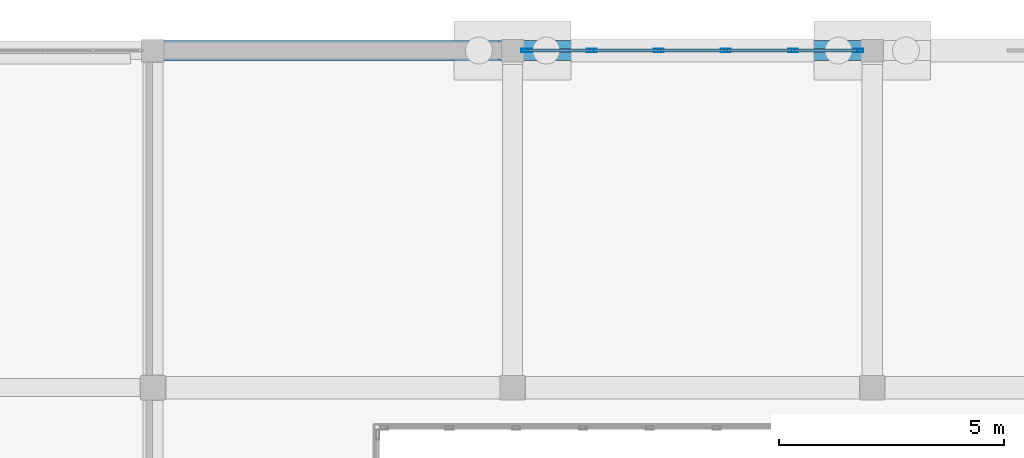
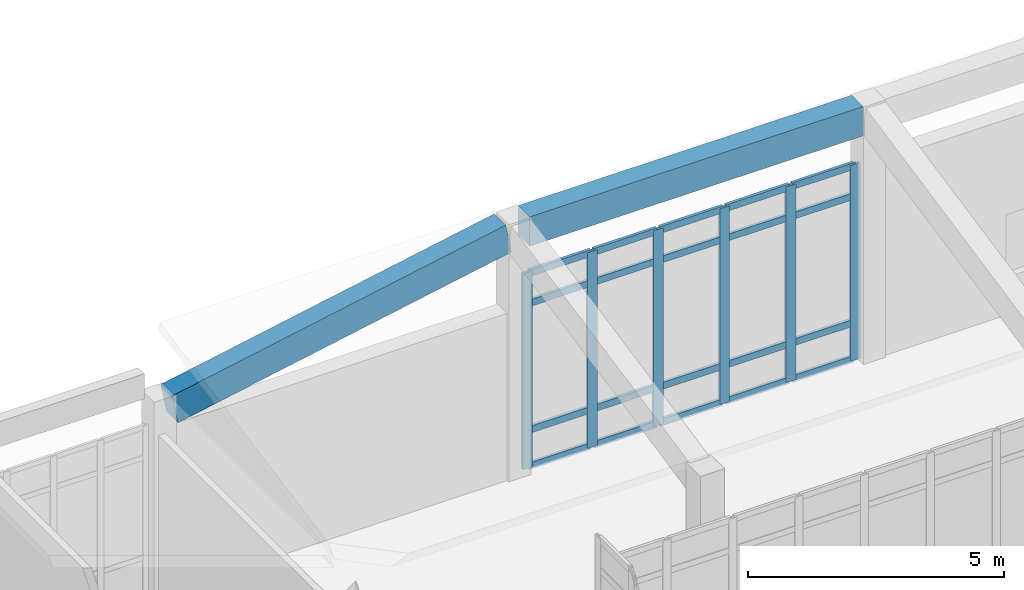
# One storey, part 90 of 173: 26 members, 2 beams, 1 element without a shape of its own.
"""IFC4 building model written with IfcOpenShell, lengths in metres."""

from ifc_helpers import new_model, si_unit, direction, frame, origin, origin_2d, place, context, subcontext, project, spatial, rectangle, hollow_rectangle, extrude, material, layer, layer_set, material_profile, profile_set, type_object, element, aggregate, save


model = new_model("IFC4")

# Units and contexts
model_context = context("Model", 3, precision=1e-05, world=origin(), true_north=direction((0.0, 1.0)))
body_context = subcontext(model_context, "Body", "Model", "MODEL_VIEW")
ifc_project = project(units=[si_unit("LENGTHUNIT", "METRE"), si_unit("AREAUNIT", "SQUARE_METRE"), si_unit("VOLUMEUNIT", "CUBIC_METRE"), si_unit("PLANEANGLEUNIT", "RADIAN"), si_unit("MASSUNIT", "GRAM", prefix="KILO")], contexts=[model_context])

# Site, building, storey
site_placement = place(None, origin())
site = spatial("IfcSite", under=ifc_project, at=site_placement, CompositionType="ELEMENT")
building_placement = place(site_placement, origin())
building = spatial("IfcBuilding", under=site, at=building_placement, Name="Mawjan Specialist Oncology Clinic", CompositionType="ELEMENT")
storey_placement = place(building_placement, origin())
storey = spatial("IfcBuildingStorey", under=building, at=storey_placement, Name="L00", CompositionType="ELEMENT", Elevation=0.0)

# Beams
ifc_material_1 = material(Name="Concrete C40/50", Category="concrete")
ifc_material_profile_1 = material_profile(ifc_material_1, rectangle(XDim=0.449951171875, YDim=0.699951171875, at=origin_2d()), Name="RC BM 450x700", Category="concrete")
ifc_profile_set_1 = profile_set([ifc_material_profile_1], Name="Concrete C40/50")
beam_type = type_object("IfcBeamType", Name="BM-450x700", PredefinedType="BEAM", material=ifc_profile_set_1)
beam_1_placement = place(storey_placement, frame((108.235107421875, 113.300048828125, 4.35009765625), z_axis=(0.982295610241, 0.0, 0.187337487175), x_axis=(0.0, 1.0, 0.0)))
element("IfcBeam", 1, at=beam_1_placement, inside=storey, type_object=beam_type, Name="L00 Roof Framing Beam BM-RF-L00-1257", PredefinedType="BEAM", context=body_context, shape_type="SweptSolid", body=[
    extrude(rectangle(XDim=0.449951171875, YDim=0.699951171875, at=origin_2d()), origin(), (0.0, 0.0, 1.0), 7.66552734375),
])
beam_2_placement = place(storey_placement, frame((116.235107421875, 113.300048828125, 5.7861328125), z_axis=(1.0, 0.0, 0.0), x_axis=(0.0, 1.0, 0.0)))
element("IfcBeam", 2, at=beam_2_placement, inside=storey, type_object=beam_type, Name="L00 Roof Framing Beam BM-RF-L00-1258", PredefinedType="BEAM", context=body_context, shape_type="SweptSolid", body=[
    extrude(rectangle(XDim=0.449951171875, YDim=0.699951171875, at=origin_2d()), origin(), (0.0, 0.0, 1.0), 7.52978515625),
])

# Curtain wall, members
ifc_material_2 = material(Name="Unitised spectrally selective aluminium curtain wall", Category="aluminium")
ifc_layer = layer(ifc_material_2, 0.179931640625, Name="Unitised spectrally selective aluminium curtain wall", Category="aluminium")
ifc_layer_set = layer_set([ifc_layer], Name="Unitised spectrally selective aluminium curtain wall")
curtain_wall_type = type_object("IfcCurtainWallType", Name="CW-15", PredefinedType="NOTDEFINED", material=ifc_layer_set)
curtain_wall_placement = place(storey_placement, origin())
curtain_wall = element("IfcCurtainWall", 3, at=curtain_wall_placement, inside=storey, type_object=curtain_wall_type, Name="L00 Unitised Curtain Wall CW-L00-027", PredefinedType="NOTDEFINED")
ifc_material_3 = material(Name="Thermally broken aluminium 6063-T6", Category="aluminium")
ifc_material_profile_2 = material_profile(ifc_material_3, hollow_rectangle(XDim=0.070068359375, YDim=0.219970703125, WallThickness=0.00390625, at=origin_2d()), Name="ALU MULLION 220x70x4", Category="aluminium")
ifc_profile_set_2 = profile_set([ifc_material_profile_2], Name="Thermally broken aluminium 6063-T6")
member_type_1 = type_object("IfcMemberType", Name="CW-M220", PredefinedType="MULLION", material=ifc_profile_set_2)
member_1_placement = place(storey_placement, frame((116.304931640625, 113.300048828125, 0.0), z_axis=(0.0, 0.0, 1.0), x_axis=(0.0, 1.0, 0.0)))
member_1 = element("IfcMember", 4, at=member_1_placement, type_object=member_type_1, Name="CW-15 mullion 1", PredefinedType="MULLION", context=body_context, shape_type="SweptSolid", body=[
    extrude(hollow_rectangle(XDim=0.070068359375, YDim=0.219970703125, WallThickness=0.00390625, at=origin_2d()), origin(), (0.0, 0.0, 1.0), 4.669921875),
])
member_2_placement = place(storey_placement, frame((117.761962890625, 113.300048828125, 0.0), z_axis=(0.0, 0.0, 1.0), x_axis=(0.0, 1.0, 0.0)))
member_2 = element("IfcMember", 5, at=member_2_placement, type_object=member_type_1, Name="CW-15 mullion 2", PredefinedType="MULLION", context=body_context, shape_type="SweptSolid", body=[
    extrude(hollow_rectangle(XDim=0.070068359375, YDim=0.219970703125, WallThickness=0.00390625, at=origin_2d()), origin(), (0.0, 0.0, 1.0), 4.669921875),
])
member_3_placement = place(storey_placement, frame((119.25390625, 113.300048828125, 0.0), z_axis=(0.0, 0.0, 1.0), x_axis=(0.0, 1.0, 0.0)))
member_3 = element("IfcMember", 6, at=member_3_placement, type_object=member_type_1, Name="CW-15 mullion 3", PredefinedType="MULLION", context=body_context, shape_type="SweptSolid", body=[
    extrude(hollow_rectangle(XDim=0.070068359375, YDim=0.219970703125, WallThickness=0.00390625, at=origin_2d()), origin(), (0.0, 0.0, 1.0), 4.669921875),
])
member_4_placement = place(storey_placement, frame((120.74609375, 113.300048828125, 0.0), z_axis=(0.0, 0.0, 1.0), x_axis=(0.0, 1.0, 0.0)))
member_4 = element("IfcMember", 7, at=member_4_placement, type_object=member_type_1, Name="CW-15 mullion 4", PredefinedType="MULLION", context=body_context, shape_type="SweptSolid", body=[
    extrude(hollow_rectangle(XDim=0.070068359375, YDim=0.219970703125, WallThickness=0.00390625, at=origin_2d()), origin(), (0.0, 0.0, 1.0), 4.669921875),
])
member_5_placement = place(storey_placement, frame((122.238037109375, 113.300048828125, 0.0), z_axis=(0.0, 0.0, 1.0), x_axis=(0.0, 1.0, 0.0)))
member_5 = element("IfcMember", 8, at=member_5_placement, type_object=member_type_1, Name="CW-15 mullion 5", PredefinedType="MULLION", context=body_context, shape_type="SweptSolid", body=[
    extrude(hollow_rectangle(XDim=0.070068359375, YDim=0.219970703125, WallThickness=0.00390625, at=origin_2d()), origin(), (0.0, 0.0, 1.0), 4.669921875),
])
member_6_placement = place(storey_placement, frame((123.695068359375, 113.300048828125, 0.0), z_axis=(0.0, 0.0, 1.0), x_axis=(0.0, 1.0, 0.0)))
member_6 = element("IfcMember", 9, at=member_6_placement, type_object=member_type_1, Name="CW-15 mullion 6", PredefinedType="MULLION", context=body_context, shape_type="SweptSolid", body=[
    extrude(hollow_rectangle(XDim=0.070068359375, YDim=0.219970703125, WallThickness=0.00390625, at=origin_2d()), origin(), (0.0, 0.0, 1.0), 4.669921875),
])
ifc_material_4 = material(Name="Thermally broken aluminium 6063-T6", Category="aluminium")
ifc_material_profile_3 = material_profile(ifc_material_4, hollow_rectangle(XDim=0.070068359375, YDim=0.159912109375, WallThickness=0.00390625, at=origin_2d()), Name="ALU TRANSOM 160x70x4", Category="aluminium")
ifc_profile_set_3 = profile_set([ifc_material_profile_3], Name="Thermally broken aluminium 6063-T6")
member_type_2 = type_object("IfcMemberType", Name="CW-T160", PredefinedType="USERDEFINED", material=ifc_profile_set_3)
member_7_placement = place(storey_placement, frame((116.340087890625, 113.300048828125, 0.034912109375), z_axis=(1.0, 0.0, 0.0), x_axis=(0.0, 1.0, 0.0)))
member_7 = element("IfcMember", 10, at=member_7_placement, type_object=member_type_2, Name="CW-15 transom 1.1", ObjectType="TRANSOM", PredefinedType="USERDEFINED", context=body_context, shape_type="SweptSolid", body=[
    extrude(hollow_rectangle(XDim=0.070068359375, YDim=0.159912109375, WallThickness=0.00390625, at=origin_2d()), origin(), (0.0, 0.0, 1.0), 1.386962890625),
])
member_8_placement = place(storey_placement, frame((116.340087890625, 113.300048828125, 0.89990234375), z_axis=(1.0, 0.0, 0.0), x_axis=(0.0, 1.0, 0.0)))
member_8 = element("IfcMember", 11, at=member_8_placement, type_object=member_type_2, Name="CW-15 transom 1.2", ObjectType="TRANSOM", PredefinedType="USERDEFINED", context=body_context, shape_type="SweptSolid", body=[
    extrude(hollow_rectangle(XDim=0.070068359375, YDim=0.159912109375, WallThickness=0.00390625, at=origin_2d()), origin(), (0.0, 0.0, 1.0), 1.386962890625),
])
member_9_placement = place(storey_placement, frame((116.340087890625, 113.300048828125, 3.919921875), z_axis=(1.0, 0.0, 0.0), x_axis=(0.0, 1.0, 0.0)))
member_9 = element("IfcMember", 12, at=member_9_placement, type_object=member_type_2, Name="CW-15 transom 1.3", ObjectType="TRANSOM", PredefinedType="USERDEFINED", context=body_context, shape_type="SweptSolid", body=[
    extrude(hollow_rectangle(XDim=0.070068359375, YDim=0.159912109375, WallThickness=0.00390625, at=origin_2d()), origin(), (0.0, 0.0, 1.0), 1.386962890625),
])
member_10_placement = place(storey_placement, frame((116.340087890625, 113.300048828125, 4.635009765625), z_axis=(1.0, 0.0, 0.0), x_axis=(0.0, 1.0, 0.0)))
member_10 = element("IfcMember", 13, at=member_10_placement, type_object=member_type_2, Name="CW-15 transom 1.4", ObjectType="TRANSOM", PredefinedType="USERDEFINED", context=body_context, shape_type="SweptSolid", body=[
    extrude(hollow_rectangle(XDim=0.070068359375, YDim=0.159912109375, WallThickness=0.00390625, at=origin_2d()), origin(), (0.0, 0.0, 1.0), 1.386962890625),
])
member_11_placement = place(storey_placement, frame((117.797119140625, 113.300048828125, 0.034912109375), z_axis=(1.0, 0.0, 0.0), x_axis=(0.0, 1.0, 0.0)))
member_11 = element("IfcMember", 14, at=member_11_placement, type_object=member_type_2, Name="CW-15 transom 2.1", ObjectType="TRANSOM", PredefinedType="USERDEFINED", context=body_context, shape_type="SweptSolid", body=[
    extrude(hollow_rectangle(XDim=0.070068359375, YDim=0.159912109375, WallThickness=0.00390625, at=origin_2d()), origin(), (0.0, 0.0, 1.0), 1.421875),
])
member_12_placement = place(storey_placement, frame((117.797119140625, 113.300048828125, 0.89990234375), z_axis=(1.0, 0.0, 0.0), x_axis=(0.0, 1.0, 0.0)))
member_12 = element("IfcMember", 15, at=member_12_placement, type_object=member_type_2, Name="CW-15 transom 2.2", ObjectType="TRANSOM", PredefinedType="USERDEFINED", context=body_context, shape_type="SweptSolid", body=[
    extrude(hollow_rectangle(XDim=0.070068359375, YDim=0.159912109375, WallThickness=0.00390625, at=origin_2d()), origin(), (0.0, 0.0, 1.0), 1.421875),
])
member_13_placement = place(storey_placement, frame((117.797119140625, 113.300048828125, 3.919921875), z_axis=(1.0, 0.0, 0.0), x_axis=(0.0, 1.0, 0.0)))
member_13 = element("IfcMember", 16, at=member_13_placement, type_object=member_type_2, Name="CW-15 transom 2.3", ObjectType="TRANSOM", PredefinedType="USERDEFINED", context=body_context, shape_type="SweptSolid", body=[
    extrude(hollow_rectangle(XDim=0.070068359375, YDim=0.159912109375, WallThickness=0.00390625, at=origin_2d()), origin(), (0.0, 0.0, 1.0), 1.421875),
])
member_14_placement = place(storey_placement, frame((117.797119140625, 113.300048828125, 4.635009765625), z_axis=(1.0, 0.0, 0.0), x_axis=(0.0, 1.0, 0.0)))
member_14 = element("IfcMember", 17, at=member_14_placement, type_object=member_type_2, Name="CW-15 transom 2.4", ObjectType="TRANSOM", PredefinedType="USERDEFINED", context=body_context, shape_type="SweptSolid", body=[
    extrude(hollow_rectangle(XDim=0.070068359375, YDim=0.159912109375, WallThickness=0.00390625, at=origin_2d()), origin(), (0.0, 0.0, 1.0), 1.421875),
])
member_15_placement = place(storey_placement, frame((119.2890625, 113.300048828125, 0.034912109375), z_axis=(1.0, 0.0, 0.0), x_axis=(0.0, 1.0, 0.0)))
member_15 = element("IfcMember", 18, at=member_15_placement, type_object=member_type_2, Name="CW-15 transom 3.1", ObjectType="TRANSOM", PredefinedType="USERDEFINED", context=body_context, shape_type="SweptSolid", body=[
    extrude(hollow_rectangle(XDim=0.070068359375, YDim=0.159912109375, WallThickness=0.00390625, at=origin_2d()), origin(), (0.0, 0.0, 1.0), 1.421875),
])
member_16_placement = place(storey_placement, frame((119.2890625, 113.300048828125, 0.89990234375), z_axis=(1.0, 0.0, 0.0), x_axis=(0.0, 1.0, 0.0)))
member_16 = element("IfcMember", 19, at=member_16_placement, type_object=member_type_2, Name="CW-15 transom 3.2", ObjectType="TRANSOM", PredefinedType="USERDEFINED", context=body_context, shape_type="SweptSolid", body=[
    extrude(hollow_rectangle(XDim=0.070068359375, YDim=0.159912109375, WallThickness=0.00390625, at=origin_2d()), origin(), (0.0, 0.0, 1.0), 1.421875),
])
member_17_placement = place(storey_placement, frame((119.2890625, 113.300048828125, 3.919921875), z_axis=(1.0, 0.0, 0.0), x_axis=(0.0, 1.0, 0.0)))
member_17 = element("IfcMember", 20, at=member_17_placement, type_object=member_type_2, Name="CW-15 transom 3.3", ObjectType="TRANSOM", PredefinedType="USERDEFINED", context=body_context, shape_type="SweptSolid", body=[
    extrude(hollow_rectangle(XDim=0.070068359375, YDim=0.159912109375, WallThickness=0.00390625, at=origin_2d()), origin(), (0.0, 0.0, 1.0), 1.421875),
])
member_18_placement = place(storey_placement, frame((119.2890625, 113.300048828125, 4.635009765625), z_axis=(1.0, 0.0, 0.0), x_axis=(0.0, 1.0, 0.0)))
member_18 = element("IfcMember", 21, at=member_18_placement, type_object=member_type_2, Name="CW-15 transom 3.4", ObjectType="TRANSOM", PredefinedType="USERDEFINED", context=body_context, shape_type="SweptSolid", body=[
    extrude(hollow_rectangle(XDim=0.070068359375, YDim=0.159912109375, WallThickness=0.00390625, at=origin_2d()), origin(), (0.0, 0.0, 1.0), 1.421875),
])
member_19_placement = place(storey_placement, frame((120.781005859375, 113.300048828125, 0.034912109375), z_axis=(1.0, 0.0, 0.0), x_axis=(0.0, 1.0, 0.0)))
member_19 = element("IfcMember", 22, at=member_19_placement, type_object=member_type_2, Name="CW-15 transom 4.1", ObjectType="TRANSOM", PredefinedType="USERDEFINED", context=body_context, shape_type="SweptSolid", body=[
    extrude(hollow_rectangle(XDim=0.070068359375, YDim=0.159912109375, WallThickness=0.00390625, at=origin_2d()), origin(), (0.0, 0.0, 1.0), 1.421875),
])
member_20_placement = place(storey_placement, frame((120.781005859375, 113.300048828125, 0.89990234375), z_axis=(1.0, 0.0, 0.0), x_axis=(0.0, 1.0, 0.0)))
member_20 = element("IfcMember", 23, at=member_20_placement, type_object=member_type_2, Name="CW-15 transom 4.2", ObjectType="TRANSOM", PredefinedType="USERDEFINED", context=body_context, shape_type="SweptSolid", body=[
    extrude(hollow_rectangle(XDim=0.070068359375, YDim=0.159912109375, WallThickness=0.00390625, at=origin_2d()), origin(), (0.0, 0.0, 1.0), 1.421875),
])
member_21_placement = place(storey_placement, frame((120.781005859375, 113.300048828125, 3.919921875), z_axis=(1.0, 0.0, 0.0), x_axis=(0.0, 1.0, 0.0)))
member_21 = element("IfcMember", 24, at=member_21_placement, type_object=member_type_2, Name="CW-15 transom 4.3", ObjectType="TRANSOM", PredefinedType="USERDEFINED", context=body_context, shape_type="SweptSolid", body=[
    extrude(hollow_rectangle(XDim=0.070068359375, YDim=0.159912109375, WallThickness=0.00390625, at=origin_2d()), origin(), (0.0, 0.0, 1.0), 1.421875),
])
member_22_placement = place(storey_placement, frame((120.781005859375, 113.300048828125, 4.635009765625), z_axis=(1.0, 0.0, 0.0), x_axis=(0.0, 1.0, 0.0)))
member_22 = element("IfcMember", 25, at=member_22_placement, type_object=member_type_2, Name="CW-15 transom 4.4", ObjectType="TRANSOM", PredefinedType="USERDEFINED", context=body_context, shape_type="SweptSolid", body=[
    extrude(hollow_rectangle(XDim=0.070068359375, YDim=0.159912109375, WallThickness=0.00390625, at=origin_2d()), origin(), (0.0, 0.0, 1.0), 1.421875),
])
member_23_placement = place(storey_placement, frame((122.27294921875, 113.300048828125, 0.034912109375), z_axis=(1.0, 0.0, 0.0), x_axis=(0.0, 1.0, 0.0)))
member_23 = element("IfcMember", 26, at=member_23_placement, type_object=member_type_2, Name="CW-15 transom 5.1", ObjectType="TRANSOM", PredefinedType="USERDEFINED", context=body_context, shape_type="SweptSolid", body=[
    extrude(hollow_rectangle(XDim=0.070068359375, YDim=0.159912109375, WallThickness=0.00390625, at=origin_2d()), origin(), (0.0, 0.0, 1.0), 1.386962890625),
])
member_24_placement = place(storey_placement, frame((122.27294921875, 113.300048828125, 0.89990234375), z_axis=(1.0, 0.0, 0.0), x_axis=(0.0, 1.0, 0.0)))
member_24 = element("IfcMember", 27, at=member_24_placement, type_object=member_type_2, Name="CW-15 transom 5.2", ObjectType="TRANSOM", PredefinedType="USERDEFINED", context=body_context, shape_type="SweptSolid", body=[
    extrude(hollow_rectangle(XDim=0.070068359375, YDim=0.159912109375, WallThickness=0.00390625, at=origin_2d()), origin(), (0.0, 0.0, 1.0), 1.386962890625),
])
member_25_placement = place(storey_placement, frame((122.27294921875, 113.300048828125, 3.919921875), z_axis=(1.0, 0.0, 0.0), x_axis=(0.0, 1.0, 0.0)))
member_25 = element("IfcMember", 28, at=member_25_placement, type_object=member_type_2, Name="CW-15 transom 5.3", ObjectType="TRANSOM", PredefinedType="USERDEFINED", context=body_context, shape_type="SweptSolid", body=[
    extrude(hollow_rectangle(XDim=0.070068359375, YDim=0.159912109375, WallThickness=0.00390625, at=origin_2d()), origin(), (0.0, 0.0, 1.0), 1.386962890625),
])
member_26_placement = place(storey_placement, frame((122.27294921875, 113.300048828125, 4.635009765625), z_axis=(1.0, 0.0, 0.0), x_axis=(0.0, 1.0, 0.0)))
member_26 = element("IfcMember", 29, at=member_26_placement, type_object=member_type_2, Name="CW-15 transom 5.4", ObjectType="TRANSOM", PredefinedType="USERDEFINED", context=body_context, shape_type="SweptSolid", body=[
    extrude(hollow_rectangle(XDim=0.070068359375, YDim=0.159912109375, WallThickness=0.00390625, at=origin_2d()), origin(), (0.0, 0.0, 1.0), 1.386962890625),
])
aggregate(curtain_wall, [member_1, member_2, member_3, member_4, member_5, member_6, member_7, member_8, member_9, member_10, member_11, member_12, member_13, member_14, member_15, member_16, member_17, member_18, member_19, member_20, member_21, member_22, member_23, member_24, member_25, member_26])

save(model, "model.ifc")
